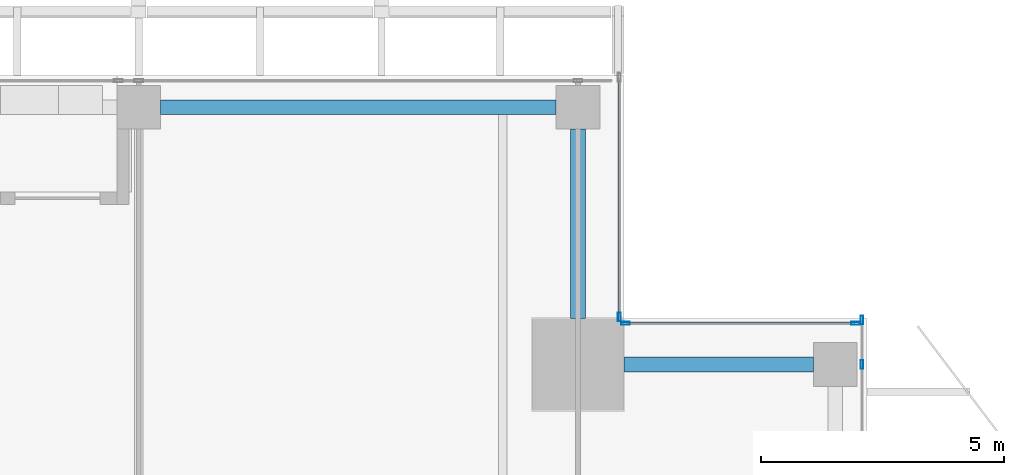
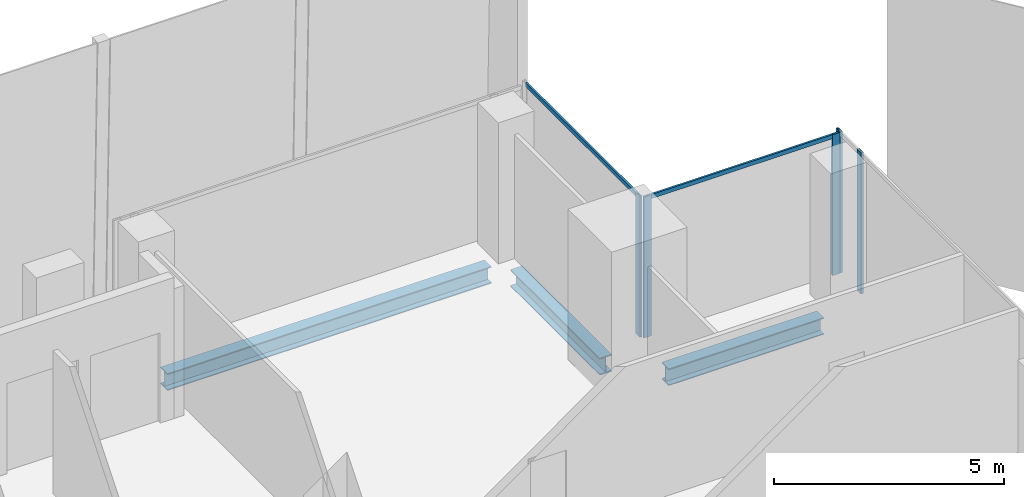
# One storey, part 20 of 35: 7 members, 3 beams, 3 elements without a shape of their own.
"""IFC4 building model written with IfcOpenShell, lengths in metres."""

import ifcopenshell
import ifcopenshell.guid

model = None  # the IFC model being written
_history = None  # IfcOwnerHistory: only IFC2X3 demands one
_inside = {}  # id of a spatial element -> (the spatial element, [elements in it])
_under = {}  # id of a project, library or spatial element -> (it, [spatial elements below it])
_declared = {}  # id of a project -> (the project, [libraries it declares])
_typed = {}  # id of a type object -> (the type object, [elements of that type])
_made_of = {}  # id of a material, layer set ... -> (it, [elements and type objects made of it])


def new_model(schema):
    """Start an empty IFC model of exactly this schema.

    Asked for "IFC4X3", IfcOpenShell would pick the latest addendum, in which some entities
    have other attributes; the version numbers below select the first issue.
    IFC2X3 requires an IfcOwnerHistory on every rooted entity: one is made here for all.
    """
    global model, _history
    if schema == "IFC4X3":
        model = ifcopenshell.file(schema_version=(4, 3, 0, 0))
    else:
        model = ifcopenshell.file(schema=schema)
    _inside.clear()
    _under.clear()
    _declared.clear()
    _typed.clear()
    _made_of.clear()
    _history = None
    if model.schema == "IFC2X3":
        org = make("IfcOrganization", Name="unknown")
        user = make(
            "IfcPersonAndOrganization",
            ThePerson=make("IfcPerson", FamilyName="unknown"),
            TheOrganization=org,
        )
        app = make(
            "IfcApplication",
            ApplicationDeveloper=org,
            Version="unknown",
            ApplicationFullName="unknown",
            ApplicationIdentifier="unknown",
        )
        _history = make(
            "IfcOwnerHistory",
            OwningUser=user,
            OwningApplication=app,
            ChangeAction="ADDED",
            CreationDate=0,
        )
    return model


def make(cls, **values):
    """One entity of the class cls with the attributes given. An attribute that is None is left unset."""
    return model.create_entity(
        cls, **{name: value for name, value in values.items() if value is not None}
    )


def rooted(cls, **values):
    """An entity with a GlobalId (a new one), such as an element, a storey or a relation."""
    return make(cls, GlobalId=ifcopenshell.guid.new(), OwnerHistory=_history, **values)


def si_unit(unit_type, name, prefix=None):
    """IfcSIUnit, for example si_unit("LENGTHUNIT", "METRE", prefix="MILLI")."""
    return make("IfcSIUnit", UnitType=unit_type, Prefix=prefix, Name=name)


def assignment(units):
    """IfcUnitAssignment: the units of a project."""
    return None if units is None else make("IfcUnitAssignment", Units=units)


def point(xyz):
    """IfcCartesianPoint."""
    return None if xyz is None else make("IfcCartesianPoint", Coordinates=xyz)


def direction(xyz):
    """IfcDirection."""
    return None if xyz is None else make("IfcDirection", DirectionRatios=xyz)


def frame(location, z_axis=None, x_axis=None):
    """IfcAxis2Placement3D, a coordinate frame: its origin and axes. An axis left out is left unset."""
    return make(
        "IfcAxis2Placement3D",
        Location=point(location),
        Axis=direction(z_axis),
        RefDirection=direction(x_axis),
    )


def frame_2d(location, x_axis=None):
    """IfcAxis2Placement2D, a coordinate frame in the plane: its origin and x axis."""
    return make(
        "IfcAxis2Placement2D", Location=point(location), RefDirection=direction(x_axis)
    )


def origin():
    """The frame at (0, 0, 0) with its axes left unset."""
    return frame((0.0, 0.0, 0.0))


def origin_2d():
    """The frame at (0, 0) in the plane with its x axis left unset."""
    return frame_2d((0.0, 0.0))


def place(relative_to, where):
    """IfcLocalPlacement: puts the frame where relative to a parent placement (None: the world)."""
    return make(
        "IfcLocalPlacement", PlacementRelTo=relative_to, RelativePlacement=where
    )


def context(
    kind, dimensions, precision=None, world=None, true_north=None, identifier=None
):
    """IfcGeometricRepresentationContext, for example the 3D "Model" context."""
    return make(
        "IfcGeometricRepresentationContext",
        ContextIdentifier=identifier,
        ContextType=kind,
        CoordinateSpaceDimension=dimensions,
        Precision=precision,
        WorldCoordinateSystem=world,
        TrueNorth=true_north,
    )


def subcontext(parent, identifier, kind, view, scale=None):
    """IfcGeometricRepresentationSubContext, for example "Body" below "Model"."""
    return make(
        "IfcGeometricRepresentationSubContext",
        ContextIdentifier=identifier,
        ContextType=kind,
        ParentContext=parent,
        TargetScale=scale,
        TargetView=view,
    )


def project(units=None, contexts=None):
    """IfcProject with its units and contexts."""
    return rooted(
        "IfcProject",
        Name="project",
        RepresentationContexts=contexts,
        UnitsInContext=assignment(units),
    )


def spatial(cls, under=None, at=None, **own):
    """A site, building, storey or space (cls), placed at a placement, below another one or the project."""
    s = rooted(cls, ObjectPlacement=at, **own)
    if under is not None:
        _under.setdefault(under.id(), (under, []))[1].append(s)
    return s


def profile(cls, at=None, kind="AREA", **sizes):
    """A parametric profile (cls). Its sizes go by their IFC names, for example OverallWidth=200.0."""
    return make(cls, ProfileType=kind, Position=at, **sizes)


def hollow_rectangle(**sizes):
    """IfcRectangleHollowProfileDef."""
    return profile("IfcRectangleHollowProfileDef", **sizes)


def i_section(**sizes):
    """IfcIShapeProfileDef."""
    return profile("IfcIShapeProfileDef", **sizes)


def extrude(swept, where, along, depth):
    """IfcExtrudedAreaSolid: the profile swept, set in the frame where, extruded along a direction by depth."""
    return make(
        "IfcExtrudedAreaSolid",
        SweptArea=swept,
        Position=where,
        ExtrudedDirection=direction(along),
        Depth=depth,
    )


def shape(context_of_items, identifier, shape_type, items):
    """IfcShapeRepresentation: the items that make up one representation, for example the "Body"."""
    return make(
        "IfcShapeRepresentation",
        ContextOfItems=context_of_items,
        RepresentationIdentifier=identifier,
        RepresentationType=shape_type,
        Items=items,
    )


def source(mapping_origin, context_of_items, identifier, shape_type, items):
    """IfcRepresentationMap: a shape defined once, which mapped items show again and again."""
    return make(
        "IfcRepresentationMap",
        MappingOrigin=mapping_origin,
        MappedRepresentation=shape(context_of_items, identifier, shape_type, items),
    )


def transform(
    local_origin,
    x_axis=None,
    y_axis=None,
    z_axis=None,
    scale=None,
    scale2=None,
    scale3=None,
    uniform=True,
):
    """IfcCartesianTransformationOperator3D, or its non-uniform kind. x_axis, y_axis, z_axis: its Axis1, 2, 3."""
    if uniform:
        return make(
            "IfcCartesianTransformationOperator3D",
            Axis1=direction(x_axis),
            Axis2=direction(y_axis),
            LocalOrigin=point(local_origin),
            Scale=scale,
            Axis3=direction(z_axis),
        )
    return make(
        "IfcCartesianTransformationOperator3DnonUniform",
        Axis1=direction(x_axis),
        Axis2=direction(y_axis),
        LocalOrigin=point(local_origin),
        Scale=scale,
        Axis3=direction(z_axis),
        Scale2=scale2,
        Scale3=scale3,
    )


def mapped(mapping_source, mapping_target):
    """IfcMappedItem: shows the shape of a source again, moved by a transform."""
    return make(
        "IfcMappedItem", MappingSource=mapping_source, MappingTarget=mapping_target
    )


def material(Name=None, Category=None):
    """IfcMaterial."""
    return make("IfcMaterial", Name=Name, Category=Category)


def material_profile(
    of_material, cross_section, Name=None, Category=None, Priority=None
):
    """IfcMaterialProfile: a cross section and its material."""
    return make(
        "IfcMaterialProfile",
        Name=Name,
        Material=of_material,
        Profile=cross_section,
        Priority=Priority,
        Category=Category,
    )


def profile_set(profiles, Name=None, composite=None):
    """IfcMaterialProfileSet."""
    return make(
        "IfcMaterialProfileSet",
        Name=Name,
        MaterialProfiles=profiles,
        CompositeProfile=composite,
    )


def made_of(thing, what):
    """Note that an element or type object is made of a material, layer set ...; save() writes the relation."""
    if what is not None:
        _made_of.setdefault(what.id(), (what, []))[1].append(thing)
    return thing


def type_object(cls, material=None, **own):
    """A type object (cls), such as IfcWallType, which elements share."""
    return made_of(rooted(cls, **own), material)


def element(
    cls,
    number,
    at=None,
    inside=None,
    cuts=None,
    type_object=None,
    material=None,
    context=None,
    identifier="Body",
    shape_type=None,
    held_by="IfcProductDefinitionShape",
    body=None,
    shapes=None,
    **own,
):
    """One element of the class cls, such as IfcWall. Its Tag is "e" and its number.

    at: its placement. inside: the storey or other place that contains it. cuts: it is an
    opening in that element (IfcRelVoidsElement). A single representation is given by context,
    identifier, shape_type and body (its items); several are given by shapes. held_by: the class
    of the entity that holds the representations. save() writes the other relations.
    """
    e = rooted(cls, Tag="e%d" % number, ObjectPlacement=at, **own)
    if body is not None:
        shapes = [shape(context, identifier, shape_type, body)]
    if shapes is not None:
        e.Representation = make(held_by, Representations=shapes)
    if inside is not None:
        _inside.setdefault(inside.id(), (inside, []))[1].append(e)
    if cuts is not None:
        rooted(
            "IfcRelVoidsElement", RelatingBuildingElement=cuts, RelatedOpeningElement=e
        )
    if type_object is not None:
        _typed.setdefault(type_object.id(), (type_object, []))[1].append(e)
    return made_of(e, material)


def aggregate(whole, parts):
    """IfcRelAggregates: a whole, such as a stair, and the parts it consists of."""
    return rooted("IfcRelAggregates", RelatingObject=whole, RelatedObjects=parts)


def save(model, path):
    """Write the relations noted so far, then the file.

    IfcRelAggregates (storeys below a building ...), IfcRelContainedInSpatialStructure (elements
    in a storey), IfcRelDefinesByType, IfcRelAssociatesMaterial and IfcRelDeclares: one each for
    every whole, place, type object, material and project.
    """
    for whole, parts in _under.values():
        aggregate(whole, parts)
    for where, things in _inside.values():
        rooted(
            "IfcRelContainedInSpatialStructure",
            RelatedElements=things,
            RelatingStructure=where,
        )
    for kind, things in _typed.values():
        rooted("IfcRelDefinesByType", RelatedObjects=things, RelatingType=kind)
    for what, things in _made_of.values():
        rooted("IfcRelAssociatesMaterial", RelatedObjects=things, RelatingMaterial=what)
    for by, libraries in _declared.values():
        rooted("IfcRelDeclares", RelatingContext=by, RelatedDefinitions=libraries)
    model.write(path)


model = new_model("IFC4")

# Units and contexts
model_context = context("Model", 3, precision=1e-05, world=origin(), true_north=direction((0.0, 1.0)))
body_context = subcontext(model_context, "Body", "Model", "MODEL_VIEW")
ifc_project = project(units=[si_unit("LENGTHUNIT", "METRE"), si_unit("AREAUNIT", "SQUARE_METRE"), si_unit("VOLUMEUNIT", "CUBIC_METRE"), si_unit("PLANEANGLEUNIT", "RADIAN"), si_unit("MASSUNIT", "GRAM", prefix="KILO")], contexts=[model_context])

# Site, building, storey
site_placement = place(None, origin())
site = spatial("IfcSite", under=ifc_project, at=site_placement, CompositionType="ELEMENT")
building_placement = place(site_placement, origin())
building = spatial("IfcBuilding", under=site, at=building_placement, Name="Khomas Fold Tower", CompositionType="ELEMENT")
storey_placement = place(building_placement, frame((0.0, 0.0, 266.199951171875)))
storey = spatial("IfcBuildingStorey", under=building, at=storey_placement, Name="L60", CompositionType="ELEMENT", Elevation=266.199951171875)

# Beams
ifc_material_1 = material(Name="Steel S355", Category="steel")
ifc_material_profile_1 = material_profile(ifc_material_1, i_section(OverallWidth=0.300048828125, OverallDepth=0.449951171875, WebThickness=0.013916015625, FlangeThickness=0.02587890625, at=origin_2d()), Name="HE 450 B")
ifc_profile_set_1 = profile_set([ifc_material_profile_1], Name="Steel S355")
beam_type = type_object("IfcBeamType", Name="HE 450 B spandrel SB4", PredefinedType="SPANDREL", material=ifc_profile_set_1)
shared_shape_1 = source(origin(), body_context, "Body", "SweptSolid", [
    extrude(i_section(OverallWidth=0.300048828125, OverallDepth=0.449951171875, WebThickness=0.013916015625, FlangeThickness=0.02587890625, at=origin_2d()), origin(), (0.0, 0.0, 1.0), 8.150146484375),
])
beam_placement = place(storey_placement, frame((34.949951171875, 48.85009765625, -0.474853515625), z_axis=(1.0, 0.0, 0.0), x_axis=(0.0, 1.0, 0.0)))
element("IfcBeam", 1, at=beam_placement, inside=storey, type_object=beam_type, Name="SB4", PredefinedType="SPANDREL", context=body_context, shape_type="MappedRepresentation", body=[
    mapped(shared_shape_1, transform((0.0, 0.0, 0.0))),
])
shared_shape_2 = source(origin(), body_context, "Body", "SweptSolid", [
    extrude(i_section(OverallWidth=0.300048828125, OverallDepth=0.449951171875, WebThickness=0.013916015625, FlangeThickness=0.02587890625, at=origin_2d()), origin(), (0.0, 0.0, 1.0), 3.89990234375),
])
for number, where, z_axis, x_axis, name in (
    (2, (44.5, 43.550048828125, -0.474853515625), (1.0, 0.0, 0.0), (0.0, 1.0, 0.0), "SB4"),
    (3, (43.550048828125, 44.5, -0.474853515625), (0.0, 1.0, 0.0), (-1.0, 0.0, 0.0), "SB4"),
):
    element("IfcBeam", number, at=place(storey_placement, frame(where, z_axis=z_axis, x_axis=x_axis)), inside=storey, type_object=beam_type, Name=name, PredefinedType="SPANDREL", context=body_context, shape_type="MappedRepresentation", body=[
        mapped(shared_shape_2, transform((0.0, 0.0, 0.0))),
    ])

# Curtain wall, members
ifc_material_2 = material(Name="Aluminium framed double glazing", Category="aluminium")
curtain_wall_type = type_object("IfcCurtainWallType", Name="SK-Unitised clear-glass wall, office floors CW2", PredefinedType="NOTDEFINED", material=ifc_material_2)
curtain_wall_1_placement = place(storey_placement, origin())
curtain_wall_1 = element("IfcCurtainWall", 4, at=curtain_wall_1_placement, inside=storey, type_object=curtain_wall_type, Name="CW2 run L60 03-0", PredefinedType="NOTDEFINED")
ifc_material_3 = material(Name="Aluminium", Category="aluminium")
ifc_material_profile_2 = material_profile(ifc_material_3, hollow_rectangle(XDim=0.06005859375, YDim=0.179931640625, WallThickness=0.00390625, at=origin_2d()), Name="SK-Unitised clear-glass wall, office floors mullion CW2-M")
ifc_profile_set_2 = profile_set([ifc_material_profile_2], Name="Aluminium")
member_type_1 = type_object("IfcMemberType", Name="SK-Unitised clear-glass wall, office floors mullion CW2-M", PredefinedType="MULLION", material=ifc_profile_set_2)
shared_shape_3 = source(origin(), body_context, "Body", "SweptSolid", [
    extrude(hollow_rectangle(XDim=0.06005859375, YDim=0.179931640625, WallThickness=0.00390625, at=origin_2d()), origin(), (0.0, 0.0, 1.0), 3.75),
])
member_1_placement = place(storey_placement, frame((49.39990234375, 43.550048828125, 0.0), z_axis=(0.0, 0.0, 1.0), x_axis=(-1.0, 0.0, 0.0)))
member_1 = element("IfcMember", 5, at=member_1_placement, type_object=member_type_1, Name="CW2 mullion 6", PredefinedType="MULLION", context=body_context, shape_type="MappedRepresentation", body=[
    mapped(shared_shape_3, transform((0.0, 0.0, 0.0))),
])
member_2_placement = place(storey_placement, frame((49.39990234375, 44.469970703125, 0.0), z_axis=(0.0, 0.0, 1.0), x_axis=(-1.0, 0.0, 0.0)))
member_2 = element("IfcMember", 6, at=member_2_placement, type_object=member_type_1, Name="CW2 mullion 7", PredefinedType="MULLION", context=body_context, shape_type="MappedRepresentation", body=[
    mapped(shared_shape_3, transform((0.0, 0.0, 0.0))),
])
aggregate(curtain_wall_1, [member_1, member_2])

curtain_wall_2_placement = place(storey_placement, origin())
curtain_wall_2 = element("IfcCurtainWall", 7, at=curtain_wall_2_placement, inside=storey, type_object=curtain_wall_type, Name="CW2 corner return L60 04", PredefinedType="NOTDEFINED")
member_3_placement = place(storey_placement, frame((49.27001953125, 44.39990234375, 0.0), z_axis=(0.0, 0.0, 1.0), x_axis=(0.0, -1.0, 0.0)))
member_3 = element("IfcMember", 8, at=member_3_placement, type_object=member_type_1, Name="CW2 mullion 1", PredefinedType="MULLION", context=body_context, shape_type="MappedRepresentation", body=[
    mapped(shared_shape_3, transform((0.0, 0.0, 0.0))),
])
member_4_placement = place(storey_placement, frame((44.530029296875, 44.39990234375, 0.0), z_axis=(0.0, 0.0, 1.0), x_axis=(0.0, -1.0, 0.0)))
member_4 = element("IfcMember", 9, at=member_4_placement, type_object=member_type_1, Name="CW2 mullion 2", PredefinedType="MULLION", context=body_context, shape_type="MappedRepresentation", body=[
    mapped(shared_shape_3, transform((0.0, 0.0, 0.0))),
])

# Curtain wall, member
curtain_wall_3_placement = place(storey_placement, origin())
curtain_wall_3 = element("IfcCurtainWall", 10, at=curtain_wall_3_placement, inside=storey, type_object=curtain_wall_type, Name="CW2 corner return L60 05", PredefinedType="NOTDEFINED")
member_5_placement = place(storey_placement, frame((44.39990234375, 44.530029296875, 0.0), z_axis=(0.0, 0.0, 1.0), x_axis=(-1.0, 0.0, 0.0)))
member_5 = element("IfcMember", 11, at=member_5_placement, type_object=member_type_1, Name="CW2 mullion 1", PredefinedType="MULLION", context=body_context, shape_type="MappedRepresentation", body=[
    mapped(shared_shape_3, transform((0.0, 0.0, 0.0))),
])

# Member
ifc_material_4 = material(Name="Aluminium", Category="aluminium")
ifc_material_profile_3 = material_profile(ifc_material_4, hollow_rectangle(XDim=0.050048828125, YDim=0.110107421875, WallThickness=0.00390625, at=origin_2d()), Name="SK-Unitised clear-glass wall, office floors transom CW2-T")
ifc_profile_set_3 = profile_set([ifc_material_profile_3], Name="Aluminium")
member_type_2 = type_object("IfcMemberType", Name="SK-Unitised clear-glass wall, office floors transom CW2-T", PredefinedType="USERDEFINED", material=ifc_profile_set_3)
shared_shape_4 = source(origin(), body_context, "Body", "SweptSolid", [
    extrude(hollow_rectangle(XDim=0.050048828125, YDim=0.110107421875, WallThickness=0.00390625, at=origin_2d()), origin(), (0.0, 0.0, 1.0), 4.679931640625),
])
member_6_placement = place(storey_placement, frame((49.239990234375, 44.39990234375, 3.695068359375), z_axis=(-1.0, 0.0, 0.0), x_axis=(0.0, -1.0, 0.0)))
member_6 = element("IfcMember", 12, at=member_6_placement, type_object=member_type_2, Name="CW2 transom 1", ObjectType="TRANSOM", PredefinedType="USERDEFINED", context=body_context, shape_type="MappedRepresentation", body=[
    mapped(shared_shape_4, transform((0.0, 0.0, 0.0))),
])

aggregate(curtain_wall_2, [member_3, member_4, member_6])

shared_shape_5 = source(origin(), body_context, "Body", "SweptSolid", [
    extrude(hollow_rectangle(XDim=0.050048828125, YDim=0.110107421875, WallThickness=0.00390625, at=origin_2d()), origin(), (0.0, 0.0, 1.0), 4.8798828125),
])
member_7_placement = place(storey_placement, frame((44.39990234375, 44.56005859375, 3.695068359375), z_axis=(0.0, 1.0, 0.0), x_axis=(-1.0, 0.0, 0.0)))
member_7 = element("IfcMember", 13, at=member_7_placement, type_object=member_type_2, Name="CW2 transom 1", ObjectType="TRANSOM", PredefinedType="USERDEFINED", context=body_context, shape_type="MappedRepresentation", body=[
    mapped(shared_shape_5, transform((0.0, 0.0, 0.0))),
])

aggregate(curtain_wall_3, [member_5, member_7])

save(model, "model.ifc")
